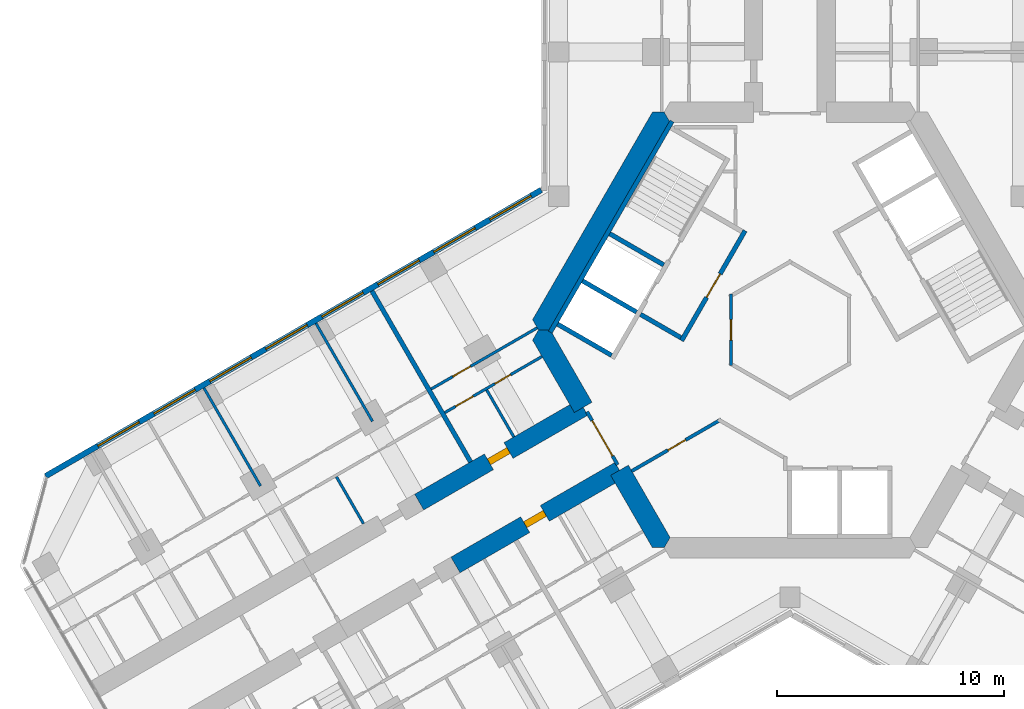
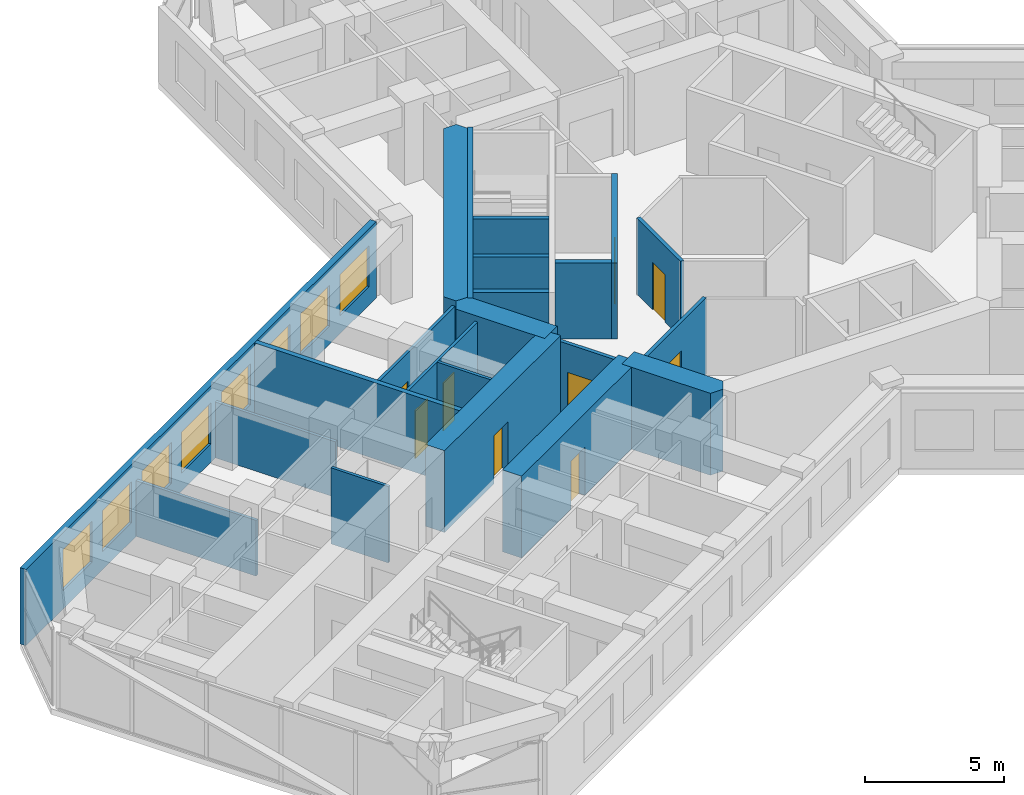
# One storey, part 12 of 19: 22 walls, 9 doors, 8 windows, 17 openings.
"""IFC4 building model written with IfcOpenShell, lengths in metres."""

from ifc_helpers import new_model, si_unit, direction, frame, frame_2d, origin, place, context, subcontext, project, spatial, polyline, rectangle, outline, extrude, material, layer, layer_set, type_object, element, fill, save


model = new_model("IFC4")

# Units and contexts
model_context = context("Model", 3, precision=1e-05, world=origin(), true_north=direction((0.0, 1.0)))
body_context = subcontext(model_context, "Body", "Model", "MODEL_VIEW")
ifc_project = project(units=[si_unit("LENGTHUNIT", "METRE"), si_unit("AREAUNIT", "SQUARE_METRE"), si_unit("VOLUMEUNIT", "CUBIC_METRE"), si_unit("PLANEANGLEUNIT", "RADIAN"), si_unit("MASSUNIT", "GRAM", prefix="KILO")], contexts=[model_context])

# Site, building, storey
site_placement = place(None, origin())
site = spatial("IfcSite", under=ifc_project, at=site_placement, CompositionType="ELEMENT")
building_placement = place(site_placement, origin())
building = spatial("IfcBuilding", under=site, at=building_placement, Name="Kosmar Iwan School Tower", CompositionType="ELEMENT")
storey_placement = place(building_placement, frame((0.0, 0.0, 134.60009765625)))
storey = spatial("IfcBuildingStorey", under=building, at=storey_placement, Name="L33", CompositionType="ELEMENT", Elevation=134.60009765625)

# Wall, opening, door
ifc_material_1 = material(Name="Gypsum board on steel studs, fire-rated", Category="steel")
ifc_layer_1 = layer(ifc_material_1, 0.14990234375)
ifc_layer_set_1 = layer_set([ifc_layer_1], Name="Core room partition 150")
wall_type_1 = type_object("IfcWallType", Name="Core room partition 150", PredefinedType="PARTITIONING", material=ifc_layer_set_1)
wall_1_placement = place(storey_placement, frame((-6.978515625, -6.222900390625, 0.0), z_axis=(0.0, 0.0, 1.0), x_axis=(0.866033797781, 0.49998546089, 0.0)))
wall_1 = element("IfcWall", 1, at=wall_1_placement, inside=storey, type_object=wall_type_1, Name="Core room partition L33-CW5", PredefinedType="PARTITIONING", context=body_context, shape_type="SweptSolid", body=[
    extrude(rectangle(XDim=4.553466796875, YDim=0.14990234375, at=frame_2d((2.27685546875, 0.0))), origin(), (0.0, 0.0, 1.0), 3.349853515625),
])
opening_1_placement = place(wall_1_placement, frame((1.846923828125, 0.0, 0.0)))
opening_1 = element("IfcOpeningElement", 2, at=opening_1_placement, cuts=wall_1, Name="Opening D14", PredefinedType="OPENING", context=body_context, shape_type="SweptSolid", body=[
    extrude(rectangle(XDim=0.89990234375, YDim=2.10009765625, at=frame_2d((0.449951171875, 1.050048828125))), frame((0.0, 0.0869140625, 0.0), z_axis=(0.0, -1.0, 0.0), x_axis=(1.0, 0.0, 0.0)), (0.0, 0.0, 1.0), 0.173828125),
])
ifc_material_2 = material(Name="Timber fire door in steel frame", Category="steel")
door_type_1 = type_object("IfcDoorType", Name="Core room door 900x2100", OperationType="SINGLE_SWING_LEFT", PredefinedType="DOOR", material=ifc_material_2)
door_1_placement = place(opening_1_placement, origin())
door_1 = element("IfcDoor", 3, at=door_1_placement, inside=storey, type_object=door_type_1, Name="Bicycle repair room door L33 3", OperationType="SINGLE_SWING_LEFT", OverallHeight=2.10009765625, OverallWidth=0.89990234375, PredefinedType="DOOR", context=body_context, shape_type="SweptSolid", body=[
    extrude(rectangle(XDim=0.89990234375, YDim=2.10009765625, at=frame_2d((0.449951171875, 1.050048828125))), frame((0.0, 0.02490234375, 0.0), z_axis=(0.0, -1.0, 0.0), x_axis=(1.0, 0.0, 0.0)), (0.0, 0.0, 1.0), 0.050048828125),
])
fill(opening_1, door_1)

wall_2_placement = place(storey_placement, frame((-2.60009765625, -1.576171875, 0.0), z_axis=(0.0, 0.0, 1.0), x_axis=(0.0, 1.0, 0.0)))
wall_2 = element("IfcWall", 4, at=wall_2_placement, inside=storey, type_object=wall_type_1, Name="Core room partition L33-CW10", PredefinedType="PARTITIONING", context=body_context, shape_type="SweptSolid", body=[
    extrude(rectangle(XDim=3.15234375, YDim=0.14990234375, at=frame_2d((1.576171875, 0.0))), origin(), (0.0, 0.0, 1.0), 3.349853515625),
])
opening_2_placement = place(wall_2_placement, frame((1.1259765625, 0.0, 0.0)))
opening_2 = element("IfcOpeningElement", 5, at=opening_2_placement, cuts=wall_2, Name="Opening D14", PredefinedType="OPENING", context=body_context, shape_type="SweptSolid", body=[
    extrude(rectangle(XDim=0.89990234375, YDim=2.10009765625, at=frame_2d((0.449951171875, 1.050048828125))), frame((0.0, 0.0869140625, 0.0), z_axis=(0.0, -1.0, 0.0), x_axis=(1.0, 0.0, 0.0)), (0.0, 0.0, 1.0), 0.173828125),
])
door_2_placement = place(opening_2_placement, origin())
door_2 = element("IfcDoor", 6, at=door_2_placement, inside=storey, type_object=door_type_1, Name="Bulky waste store door L33 4", OperationType="SINGLE_SWING_RIGHT", OverallHeight=2.10009765625, OverallWidth=0.89990234375, PredefinedType="DOOR", context=body_context, shape_type="SweptSolid", body=[
    extrude(rectangle(XDim=0.89990234375, YDim=2.10009765625, at=frame_2d((0.449951171875, 1.050048828125))), frame((0.0, 0.02490234375, 0.0), z_axis=(0.0, -1.0, 0.0), x_axis=(1.0, 0.0, 0.0)), (0.0, 0.0, 1.0), 0.050048828125),
])
fill(opening_2, door_2)

# Walls
ifc_material_3 = material(Name="Concrete C50/60", Category="concrete")
ifc_layer_2 = layer(ifc_material_3, 0.89990234375)
ifc_layer_set_2 = layer_set([ifc_layer_2], Name="Core wall 900")
wall_type_2 = type_object("IfcWallType", Name="Core wall 900", PredefinedType="SHEAR", material=ifc_layer_set_2)
wall_3_placement = place(storey_placement, origin())
element("IfcWall", 7, at=wall_3_placement, inside=storey, type_object=wall_type_2, Name="Core wall F150", PredefinedType="SHEAR", context=body_context, shape_type="SweptSolid", body=[
    extrude(outline(polyline([(-11.085205078125, 0.0), (-10.5654296875, 0.0), (-5.28271484375, 9.14990234375), (-5.54248046875, 9.60009765625), (-6.062255859375, 9.60009765625), (-11.344970703125, 0.449951171875), (-11.085205078125, 0.0)])), origin(), (0.0, 0.0, 1.0), 3.599853515625),
])
wall_4_placement = place(storey_placement, origin())
element("IfcWall", 8, at=wall_4_placement, inside=storey, type_object=wall_type_2, Name="Core wall F210a", PredefinedType="SHEAR", context=body_context, shape_type="SweptSolid", body=[
    extrude(outline(polyline([(-9.503662109375, -3.639404296875), (-8.72412109375, -3.189453125), (-10.5654296875, 0.0), (-11.085205078125, 0.0), (-11.344970703125, -0.449951171875), (-9.503662109375, -3.639404296875)])), origin(), (0.0, 0.0, 1.0), 3.599853515625),
])
wall_5_placement = place(storey_placement, origin())
element("IfcWall", 9, at=wall_5_placement, inside=storey, type_object=wall_type_2, Name="Core wall F210b", PredefinedType="SHEAR", context=body_context, shape_type="SweptSolid", body=[
    extrude(outline(polyline([(-6.062255859375, -9.60009765625), (-5.54248046875, -9.60009765625), (-5.28271484375, -9.14990234375), (-7.1240234375, -5.960693359375), (-7.903564453125, -6.41064453125), (-6.062255859375, -9.60009765625)])), origin(), (0.0, 0.0, 1.0), 3.599853515625),
])

# Wall, opening, door
ifc_material_4 = material(Name="Concrete C50/60", Category="concrete")
ifc_layer_3 = layer(ifc_material_4, 0.800048828125)
ifc_layer_set_3 = layer_set([ifc_layer_3], Name="Corridor buttress wall 800")
wall_type_3 = type_object("IfcWallType", Name="Corridor buttress wall 800", PredefinedType="SHEAR", material=ifc_layer_set_3)
wall_6_placement = place(storey_placement, frame((-7.513916015625, -6.185546875, 0.0), z_axis=(0.0, 0.0, 1.0), x_axis=(-0.866019549707, -0.500010139422, 0.0)))
wall_6 = element("IfcWall", 10, at=wall_6_placement, inside=storey, type_object=wall_type_3, Name="Corridor wall BL", PredefinedType="SHEAR", context=body_context, shape_type="SweptSolid", body=[
    extrude(rectangle(XDim=8.349853515625, YDim=0.800048828125, at=frame_2d((4.1748046875, 0.0))), origin(), (0.0, 0.0, 1.0), 3.599853515625),
])
opening_3_placement = place(wall_6_placement, frame((3.800048828125, 0.0, 0.0)))
opening_3 = element("IfcOpeningElement", 11, at=opening_3_placement, cuts=wall_6, Name="Opening D1", PredefinedType="OPENING", context=body_context, shape_type="SweptSolid", body=[
    extrude(rectangle(XDim=1.0, YDim=2.10009765625, at=frame_2d((0.5, 1.050048828125))), frame((0.0, 0.412109375, 0.0), z_axis=(0.0, -1.0, 0.0), x_axis=(1.0, 0.0, 0.0)), (0.0, 0.0, 1.0), 0.823974609375),
])
ifc_material_5 = material(Name="Timber fire door in steel frame", Category="steel")
door_type_2 = type_object("IfcDoorType", Name="Flat entrance door 1000x2100", OperationType="SINGLE_SWING_LEFT", PredefinedType="DOOR", material=ifc_material_5)
door_3_placement = place(opening_3_placement, origin())
door_3 = element("IfcDoor", 12, at=door_3_placement, inside=storey, type_object=door_type_2, Name="Flat L33-BL1 entrance door", OperationType="SINGLE_SWING_LEFT", OverallHeight=2.10009765625, OverallWidth=1.0, PredefinedType="DOOR", context=body_context, shape_type="SweptSolid", body=[
    extrude(rectangle(XDim=1.0, YDim=2.10009765625, at=frame_2d((0.5, 1.050048828125))), frame((0.0, 0.14990234375, 0.0), z_axis=(0.0, -1.0, 0.0), x_axis=(1.0, 0.0, 0.0)), (0.0, 0.0, 1.0), 0.300048828125),
])
fill(opening_3, door_3)

wall_7_placement = place(storey_placement, frame((-9.11376953125, -3.414306640625, 0.0), z_axis=(0.0, 0.0, 1.0), x_axis=(-0.866026859388, -0.499997478812, 0.0)))
wall_7 = element("IfcWall", 13, at=wall_7_placement, inside=storey, type_object=wall_type_3, Name="Corridor wall BR", PredefinedType="SHEAR", context=body_context, shape_type="SweptSolid", body=[
    extrude(rectangle(XDim=8.35009765625, YDim=0.800048828125, at=frame_2d((4.175048828125, 0.0))), origin(), (0.0, 0.0, 1.0), 3.599853515625),
])
opening_4_placement = place(wall_7_placement, frame((3.800048828125, 0.0, 0.0)))
opening_4 = element("IfcOpeningElement", 14, at=opening_4_placement, cuts=wall_7, Name="Opening D1", PredefinedType="OPENING", context=body_context, shape_type="SweptSolid", body=[
    extrude(rectangle(XDim=1.0, YDim=2.10009765625, at=frame_2d((0.5, 1.050048828125))), frame((0.0, 0.412109375, 0.0), z_axis=(0.0, -1.0, 0.0), x_axis=(1.0, 0.0, 0.0)), (0.0, 0.0, 1.0), 0.823974609375),
])
door_4_placement = place(opening_4_placement, origin())
door_4 = element("IfcDoor", 15, at=door_4_placement, inside=storey, type_object=door_type_2, Name="Flat L33-BR1 entrance door", OperationType="SINGLE_SWING_RIGHT", OverallHeight=2.10009765625, OverallWidth=1.0, PredefinedType="DOOR", context=body_context, shape_type="SweptSolid", body=[
    extrude(rectangle(XDim=1.0, YDim=2.10009765625, at=frame_2d((0.5, 1.050048828125))), frame((0.0, 0.14990234375, 0.0), z_axis=(0.0, -1.0, 0.0), x_axis=(1.0, 0.0, 0.0)), (0.0, 0.0, 1.0), 0.300048828125),
])
fill(opening_4, door_4)

ifc_material_6 = material(Name="Steel framed glazed screen", Category="steel")
ifc_layer_4 = layer(ifc_material_6, 0.14990234375)
ifc_layer_set_4 = layer_set([ifc_layer_4], Name="Corridor screen wall 150")
wall_type_4 = type_object("IfcWallType", Name="Corridor screen wall 150", PredefinedType="PARTITIONING", material=ifc_layer_set_4)
wall_8_placement = place(storey_placement, frame((-8.945556640625, -3.60595703125, 0.0), z_axis=(0.0, 0.0, 1.0), x_axis=(0.500048589285, -0.86599734893, 0.0)))
wall_8 = element("IfcWall", 16, at=wall_8_placement, inside=storey, type_object=wall_type_4, Name="Corridor screen B L33", PredefinedType="PARTITIONING", context=body_context, shape_type="SweptSolid", body=[
    extrude(rectangle(XDim=2.699951171875, YDim=0.14990234375, at=frame_2d((1.35009765625, 0.0))), origin(), (0.0, 0.0, 1.0), 3.349853515625),
])
opening_5_placement = place(wall_8_placement, frame((0.449951171875, 0.0, 0.0)))
opening_5 = element("IfcOpeningElement", 17, at=opening_5_placement, cuts=wall_8, Name="Opening D9", PredefinedType="OPENING", context=body_context, shape_type="SweptSolid", body=[
    extrude(rectangle(XDim=1.800048828125, YDim=2.10009765625, at=frame_2d((0.89990234375, 1.050048828125))), frame((0.0, 0.0869140625, 0.0), z_axis=(0.0, -1.0, 0.0), x_axis=(1.0, 0.0, 0.0)), (0.0, 0.0, 1.0), 0.173828125),
])
ifc_material_7 = material(Name="Steel framed glazed smoke door", Category="steel")
door_type_3 = type_object("IfcDoorType", Name="Corridor smoke door pair 1800x2100", OperationType="DOUBLE_DOOR_DOUBLE_SWING", PredefinedType="DOOR", material=ifc_material_7)
door_5_placement = place(opening_5_placement, origin())
door_5 = element("IfcDoor", 18, at=door_5_placement, inside=storey, type_object=door_type_3, Name="Corridor doors B L33", OperationType="DOUBLE_DOOR_DOUBLE_SWING", OverallHeight=2.10009765625, OverallWidth=1.800048828125, PredefinedType="DOOR", context=body_context, shape_type="SweptSolid", body=[
    extrude(rectangle(XDim=1.800048828125, YDim=2.10009765625, at=frame_2d((0.89990234375, 1.050048828125))), frame((0.0, 0.02490234375, 0.0), z_axis=(0.0, -1.0, 0.0), x_axis=(1.0, 0.0, 0.0)), (0.0, 0.0, 1.0), 0.050048828125),
])
fill(opening_5, door_5)

# Wall, openings, doors
ifc_material_8 = material(Name="Gypsum board on steel studs", Category="steel")
ifc_layer_5 = layer(ifc_material_8, 0.1201171875)
ifc_layer_set_5 = layer_set([ifc_layer_5], Name="Dwelling partition 120")
wall_type_5 = type_object("IfcWallType", Name="Dwelling partition 120", PredefinedType="PARTITIONING", material=ifc_layer_set_5)
wall_9_placement = place(storey_placement, frame((-10.928466796875, -1.171142578125, 0.0), z_axis=(0.0, 0.0, 1.0), x_axis=(-0.866018855338, -0.500011342071, 0.0)))
wall_9 = element("IfcWall", 19, at=wall_9_placement, inside=storey, type_object=wall_type_5, Name="Partition L33-BR1-W1", PredefinedType="PARTITIONING", context=body_context, shape_type="SweptSolid", body=[
    extrude(rectangle(XDim=4.9501953125, YDim=0.1201171875, at=frame_2d((2.47509765625, 0.0))), origin(), (0.0, 0.0, 1.0), 3.349853515625),
])
opening_6_placement = place(wall_9_placement, frame((1.60009765625, 0.0, 0.0)))
opening_6 = element("IfcOpeningElement", 20, at=opening_6_placement, cuts=wall_9, Name="Opening D3", PredefinedType="OPENING", context=body_context, shape_type="SweptSolid", body=[
    extrude(rectangle(XDim=0.800048828125, YDim=2.10009765625, at=frame_2d((0.39990234375, 1.050048828125))), frame((0.0, 0.072021484375, 0.0), z_axis=(0.0, -1.0, 0.0), x_axis=(1.0, 0.0, 0.0)), (0.0, 0.0, 1.0), 0.14404296875),
])
opening_7_placement = place(wall_9_placement, frame((3.5, 0.0, 0.0)))
opening_7 = element("IfcOpeningElement", 21, at=opening_7_placement, cuts=wall_9, Name="Opening D2", PredefinedType="OPENING", context=body_context, shape_type="SweptSolid", body=[
    extrude(rectangle(XDim=0.89990234375, YDim=2.10009765625, at=frame_2d((0.449951171875, 1.050048828125))), frame((0.0, 0.072021484375, 0.0), z_axis=(0.0, -1.0, 0.0), x_axis=(1.0, 0.0, 0.0)), (0.0, 0.0, 1.0), 0.14404296875),
])
ifc_material_9 = material(Name="Timber door in timber frame", Category="wood")
door_type_4 = type_object("IfcDoorType", Name="Internal door 900x2100", OperationType="SINGLE_SWING_LEFT", PredefinedType="DOOR", material=ifc_material_9)
door_6_placement = place(opening_7_placement, origin())
door_6 = element("IfcDoor", 22, at=door_6_placement, inside=storey, type_object=door_type_4, Name="Entrance hall door L33-BR1-S2", OperationType="SINGLE_SWING_RIGHT", OverallHeight=2.10009765625, OverallWidth=0.89990234375, PredefinedType="DOOR", context=body_context, shape_type="SweptSolid", body=[
    extrude(rectangle(XDim=0.89990234375, YDim=2.10009765625, at=frame_2d((0.449951171875, 1.050048828125))), frame((0.0, 0.02490234375, 0.0), z_axis=(0.0, -1.0, 0.0), x_axis=(1.0, 0.0, 0.0)), (0.0, 0.0, 1.0), 0.050048828125),
])
fill(opening_7, door_6)
ifc_material_10 = material(Name="Timber door in timber frame", Category="wood")
door_type_5 = type_object("IfcDoorType", Name="Sanitary room door 800x2100", OperationType="SINGLE_SWING_LEFT", PredefinedType="DOOR", material=ifc_material_10)
door_7_placement = place(opening_6_placement, origin())
door_7 = element("IfcDoor", 23, at=door_7_placement, inside=storey, type_object=door_type_5, Name="Bathroom door L33-BR1-S1", OperationType="SINGLE_SWING_RIGHT", OverallHeight=2.10009765625, OverallWidth=0.800048828125, PredefinedType="DOOR", context=body_context, shape_type="SweptSolid", body=[
    extrude(rectangle(XDim=0.800048828125, YDim=2.10009765625, at=frame_2d((0.39990234375, 1.050048828125))), frame((0.0, 0.02490234375, 0.0), z_axis=(0.0, -1.0, 0.0), x_axis=(1.0, 0.0, 0.0)), (0.0, 0.0, 1.0), 0.050048828125),
])
fill(opening_6, door_7)

# Wall, opening, door
wall_10_placement = place(storey_placement, frame((-11.138916015625, 0.093017578125, 0.0), z_axis=(0.0, 0.0, 1.0), x_axis=(-0.866028230842, -0.499995103361, 0.0)))
wall_10 = element("IfcWall", 24, at=wall_10_placement, inside=storey, type_object=wall_type_5, Name="Partition L33-BR1-W2", PredefinedType="PARTITIONING", context=body_context, shape_type="SweptSolid", body=[
    extrude(rectangle(XDim=5.39990234375, YDim=0.1201171875, at=frame_2d((2.699951171875, 0.0))), origin(), (0.0, 0.0, 1.0), 3.349853515625),
])
opening_8_placement = place(wall_10_placement, frame((3.39990234375, 0.0, 0.0)))
opening_8 = element("IfcOpeningElement", 25, at=opening_8_placement, cuts=wall_10, Name="Opening D2", PredefinedType="OPENING", context=body_context, shape_type="SweptSolid", body=[
    extrude(rectangle(XDim=0.89990234375, YDim=2.10009765625, at=frame_2d((0.449951171875, 1.050048828125))), frame((0.0, 0.072021484375, 0.0), z_axis=(0.0, -1.0, 0.0), x_axis=(1.0, 0.0, 0.0)), (0.0, 0.0, 1.0), 0.14404296875),
])
door_8_placement = place(opening_8_placement, origin())
door_8 = element("IfcDoor", 26, at=door_8_placement, inside=storey, type_object=door_type_4, Name="Studio living room and kitchen door L33-BR1-F1", OperationType="SINGLE_SWING_RIGHT", OverallHeight=2.10009765625, OverallWidth=0.89990234375, PredefinedType="DOOR", context=body_context, shape_type="SweptSolid", body=[
    extrude(rectangle(XDim=0.89990234375, YDim=2.10009765625, at=frame_2d((0.449951171875, 1.050048828125))), frame((0.0, 0.02490234375, 0.0), z_axis=(0.0, -1.0, 0.0), x_axis=(1.0, 0.0, 0.0)), (0.0, 0.0, 1.0), 0.050048828125),
])
fill(opening_8, door_8)

# Walls
wall_11_placement = place(storey_placement, frame((-12.171630859375, -4.718017578125, 0.0), z_axis=(0.0, 0.0, 1.0), x_axis=(-0.500017192868, 0.86601547725, 0.0)))
element("IfcWall", 27, at=wall_11_placement, inside=storey, type_object=wall_type_5, Name="Partition L33-BR1-Y1", PredefinedType="PARTITIONING", context=body_context, shape_type="SweptSolid", body=[
    extrude(rectangle(XDim=2.39013671875, YDim=0.1201171875, at=frame_2d((1.195068359375, 0.0))), origin(), (0.0, 0.0, 1.0), 3.349853515625),
])
wall_12_placement = place(storey_placement, frame((-18.400146484375, -4.030029296875, 0.0), z_axis=(0.0, 0.0, 1.0), x_axis=(-0.500011847778, 0.866018563358, 0.0)))
element("IfcWall", 28, at=wall_12_placement, inside=storey, type_object=wall_type_5, Name="Partition L33-BR2-X1", PredefinedType="PARTITIONING", context=body_context, shape_type="SweptSolid", body=[
    extrude(rectangle(XDim=4.990234375, YDim=0.1201171875, at=frame_2d((2.4951171875, 0.0))), origin(), (0.0, 0.0, 1.0), 2.449951171875),
])
wall_13_placement = place(storey_placement, frame((-23.33642578125, -6.8798828125, 0.0), z_axis=(0.0, 0.0, 1.0), x_axis=(-0.500033033937, 0.866006330792, 0.0)))
element("IfcWall", 29, at=wall_13_placement, inside=storey, type_object=wall_type_5, Name="Partition L33-BR2-X2", PredefinedType="PARTITIONING", context=body_context, shape_type="SweptSolid", body=[
    extrude(rectangle(XDim=4.989990234375, YDim=0.1201171875, at=frame_2d((2.4951171875, 0.0))), origin(), (0.0, 0.0, 1.0), 2.449951171875),
])
wall_14_placement = place(storey_placement, frame((-18.796875, -8.54296875, 0.0), z_axis=(0.0, 0.0, 1.0), x_axis=(-0.500017192868, 0.86601547725, 0.0)))
element("IfcWall", 30, at=wall_14_placement, inside=storey, type_object=wall_type_5, Name="Partition L33-BR2-Y1", PredefinedType="PARTITIONING", context=body_context, shape_type="SweptSolid", body=[
    extrude(rectangle(XDim=2.39013671875, YDim=0.1201171875, at=frame_2d((1.195068359375, 0.0))), origin(), (0.0, 0.0, 1.0), 3.349853515625),
])

# Wall, openings, windows
ifc_material_11 = material(Name="Black aluminium rainscreen on insulated framing", Category="aluminium")
ifc_layer_6 = layer(ifc_material_11, 0.25)
ifc_layer_set_6 = layer_set([ifc_layer_6], Name="External wall rainscreen 250")
wall_type_6 = type_object("IfcWallType", Name="External wall rainscreen 250", PredefinedType="SOLIDWALL", material=ifc_layer_set_6)
wall_15_placement = place(storey_placement, frame((-10.962890625, 6.170166015625, 0.0), z_axis=(0.0, 0.0, 1.0), x_axis=(-0.86602796634, -0.499995561497, 0.0)))
wall_15 = element("IfcWall", 31, at=wall_15_placement, inside=storey, type_object=wall_type_6, Name="External wall BR L33", PredefinedType="SOLIDWALL", context=body_context, shape_type="SweptSolid", body=[
    extrude(rectangle(XDim=25.226318359375, YDim=0.25, at=frame_2d((12.61328125, 0.0))), origin(), (0.0, 0.0, 1.0), 3.349853515625),
])
opening_9_placement = place(wall_15_placement, frame((0.51611328125, 0.0, 0.800048828125)))
opening_9 = element("IfcOpeningElement", 32, at=opening_9_placement, cuts=wall_15, Name="Opening W4", PredefinedType="OPENING", context=body_context, shape_type="SweptSolid", body=[
    extrude(rectangle(XDim=2.10009765625, YDim=1.800048828125, at=frame_2d((1.050048828125, 0.89990234375))), frame((0.0, 0.136962890625, 0.0), z_axis=(0.0, -1.0, 0.0), x_axis=(1.0, 0.0, 0.0)), (0.0, 0.0, 1.0), 0.27392578125),
])
opening_10_placement = place(wall_15_placement, frame((3.365966796875, 0.0, 0.800048828125)))
opening_10 = element("IfcOpeningElement", 33, at=opening_10_placement, cuts=wall_15, Name="Opening W4", PredefinedType="OPENING", context=body_context, shape_type="SweptSolid", body=[
    extrude(rectangle(XDim=2.10009765625, YDim=1.800048828125, at=frame_2d((1.050048828125, 0.89990234375))), frame((0.0, 0.136962890625, 0.0), z_axis=(0.0, -1.0, 0.0), x_axis=(1.0, 0.0, 0.0)), (0.0, 0.0, 1.0), 0.27392578125),
])
opening_11_placement = place(wall_15_placement, frame((6.216064453125, 0.0, 0.800048828125)))
opening_11 = element("IfcOpeningElement", 34, at=opening_11_placement, cuts=wall_15, Name="Opening W4", PredefinedType="OPENING", context=body_context, shape_type="SweptSolid", body=[
    extrude(rectangle(XDim=2.10009765625, YDim=1.800048828125, at=frame_2d((1.050048828125, 0.89990234375))), frame((0.0, 0.136962890625, 0.0), z_axis=(0.0, -1.0, 0.0), x_axis=(1.0, 0.0, 0.0)), (0.0, 0.0, 1.0), 0.27392578125),
])
opening_12_placement = place(wall_15_placement, frame((9.06591796875, 0.0, 0.800048828125)))
opening_12 = element("IfcOpeningElement", 35, at=opening_12_placement, cuts=wall_15, Name="Opening W4", PredefinedType="OPENING", context=body_context, shape_type="SweptSolid", body=[
    extrude(rectangle(XDim=2.10009765625, YDim=1.800048828125, at=frame_2d((1.050048828125, 0.89990234375))), frame((0.0, 0.136962890625, 0.0), z_axis=(0.0, -1.0, 0.0), x_axis=(1.0, 0.0, 0.0)), (0.0, 0.0, 1.0), 0.27392578125),
])
opening_13_placement = place(wall_15_placement, frame((11.916015625, 0.0, 0.800048828125)))
opening_13 = element("IfcOpeningElement", 36, at=opening_13_placement, cuts=wall_15, Name="Opening W4", PredefinedType="OPENING", context=body_context, shape_type="SweptSolid", body=[
    extrude(rectangle(XDim=2.10009765625, YDim=1.800048828125, at=frame_2d((1.050048828125, 0.89990234375))), frame((0.0, 0.136962890625, 0.0), z_axis=(0.0, -1.0, 0.0), x_axis=(1.0, 0.0, 0.0)), (0.0, 0.0, 1.0), 0.27392578125),
])
opening_14_placement = place(wall_15_placement, frame((14.76611328125, 0.0, 0.800048828125)))
opening_14 = element("IfcOpeningElement", 37, at=opening_14_placement, cuts=wall_15, Name="Opening W4", PredefinedType="OPENING", context=body_context, shape_type="SweptSolid", body=[
    extrude(rectangle(XDim=2.10009765625, YDim=1.800048828125, at=frame_2d((1.050048828125, 0.89990234375))), frame((0.0, 0.136962890625, 0.0), z_axis=(0.0, -1.0, 0.0), x_axis=(1.0, 0.0, 0.0)), (0.0, 0.0, 1.0), 0.27392578125),
])
opening_15_placement = place(wall_15_placement, frame((17.615966796875, 0.0, 0.800048828125)))
opening_15 = element("IfcOpeningElement", 38, at=opening_15_placement, cuts=wall_15, Name="Opening W4", PredefinedType="OPENING", context=body_context, shape_type="SweptSolid", body=[
    extrude(rectangle(XDim=2.10009765625, YDim=1.800048828125, at=frame_2d((1.050048828125, 0.89990234375))), frame((0.0, 0.136962890625, 0.0), z_axis=(0.0, -1.0, 0.0), x_axis=(1.0, 0.0, 0.0)), (0.0, 0.0, 1.0), 0.27392578125),
])
opening_16_placement = place(wall_15_placement, frame((20.466064453125, 0.0, 0.800048828125)))
opening_16 = element("IfcOpeningElement", 39, at=opening_16_placement, cuts=wall_15, Name="Opening W4", PredefinedType="OPENING", context=body_context, shape_type="SweptSolid", body=[
    extrude(rectangle(XDim=2.10009765625, YDim=1.800048828125, at=frame_2d((1.050048828125, 0.89990234375))), frame((0.0, 0.136962890625, 0.0), z_axis=(0.0, -1.0, 0.0), x_axis=(1.0, 0.0, 0.0)), (0.0, 0.0, 1.0), 0.27392578125),
])
ifc_material_12 = material(Name="Black aluminium frame with dark triple glazing", Category="aluminium")
window_type = type_object("IfcWindowType", Name="Window 2100x1800", PartitioningType="SINGLE_PANEL", PredefinedType="WINDOW", material=ifc_material_12)
window_1_placement = place(opening_9_placement, origin())
window_1 = element("IfcWindow", 40, at=window_1_placement, inside=storey, type_object=window_type, Name="Window BR L33 -1", OverallHeight=1.800048828125, OverallWidth=2.10009765625, PartitioningType="SINGLE_PANEL", PredefinedType="WINDOW", context=body_context, shape_type="SweptSolid", body=[
    extrude(rectangle(XDim=2.10009765625, YDim=1.800048828125, at=frame_2d((1.050048828125, 0.89990234375))), frame((0.0, 0.030029296875, 0.0), z_axis=(0.0, -1.0, 0.0), x_axis=(1.0, 0.0, 0.0)), (0.0, 0.0, 1.0), 0.06005859375),
])
fill(opening_9, window_1)
window_2_placement = place(opening_10_placement, origin())
window_2 = element("IfcWindow", 41, at=window_2_placement, inside=storey, type_object=window_type, Name="Window BR L33 0", OverallHeight=1.800048828125, OverallWidth=2.10009765625, PartitioningType="SINGLE_PANEL", PredefinedType="WINDOW", context=body_context, shape_type="SweptSolid", body=[
    extrude(rectangle(XDim=2.10009765625, YDim=1.800048828125, at=frame_2d((1.050048828125, 0.89990234375))), frame((0.0, 0.030029296875, 0.0), z_axis=(0.0, -1.0, 0.0), x_axis=(1.0, 0.0, 0.0)), (0.0, 0.0, 1.0), 0.06005859375),
])
fill(opening_10, window_2)
window_3_placement = place(opening_11_placement, origin())
window_3 = element("IfcWindow", 42, at=window_3_placement, inside=storey, type_object=window_type, Name="Window BR L33 1", OverallHeight=1.800048828125, OverallWidth=2.10009765625, PartitioningType="SINGLE_PANEL", PredefinedType="WINDOW", context=body_context, shape_type="SweptSolid", body=[
    extrude(rectangle(XDim=2.10009765625, YDim=1.800048828125, at=frame_2d((1.050048828125, 0.89990234375))), frame((0.0, 0.030029296875, 0.0), z_axis=(0.0, -1.0, 0.0), x_axis=(1.0, 0.0, 0.0)), (0.0, 0.0, 1.0), 0.06005859375),
])
fill(opening_11, window_3)
window_4_placement = place(opening_12_placement, origin())
window_4 = element("IfcWindow", 43, at=window_4_placement, inside=storey, type_object=window_type, Name="Window BR L33 2", OverallHeight=1.800048828125, OverallWidth=2.10009765625, PartitioningType="SINGLE_PANEL", PredefinedType="WINDOW", context=body_context, shape_type="SweptSolid", body=[
    extrude(rectangle(XDim=2.10009765625, YDim=1.800048828125, at=frame_2d((1.050048828125, 0.89990234375))), frame((0.0, 0.030029296875, 0.0), z_axis=(0.0, -1.0, 0.0), x_axis=(1.0, 0.0, 0.0)), (0.0, 0.0, 1.0), 0.06005859375),
])
fill(opening_12, window_4)
window_5_placement = place(opening_13_placement, origin())
window_5 = element("IfcWindow", 44, at=window_5_placement, inside=storey, type_object=window_type, Name="Window BR L33 3", OverallHeight=1.800048828125, OverallWidth=2.10009765625, PartitioningType="SINGLE_PANEL", PredefinedType="WINDOW", context=body_context, shape_type="SweptSolid", body=[
    extrude(rectangle(XDim=2.10009765625, YDim=1.800048828125, at=frame_2d((1.050048828125, 0.89990234375))), frame((0.0, 0.030029296875, 0.0), z_axis=(0.0, -1.0, 0.0), x_axis=(1.0, 0.0, 0.0)), (0.0, 0.0, 1.0), 0.06005859375),
])
fill(opening_13, window_5)
window_6_placement = place(opening_14_placement, origin())
window_6 = element("IfcWindow", 45, at=window_6_placement, inside=storey, type_object=window_type, Name="Window BR L33 4", OverallHeight=1.800048828125, OverallWidth=2.10009765625, PartitioningType="SINGLE_PANEL", PredefinedType="WINDOW", context=body_context, shape_type="SweptSolid", body=[
    extrude(rectangle(XDim=2.10009765625, YDim=1.800048828125, at=frame_2d((1.050048828125, 0.89990234375))), frame((0.0, 0.030029296875, 0.0), z_axis=(0.0, -1.0, 0.0), x_axis=(1.0, 0.0, 0.0)), (0.0, 0.0, 1.0), 0.06005859375),
])
fill(opening_14, window_6)
window_7_placement = place(opening_15_placement, origin())
window_7 = element("IfcWindow", 46, at=window_7_placement, inside=storey, type_object=window_type, Name="Window BR L33 5", OverallHeight=1.800048828125, OverallWidth=2.10009765625, PartitioningType="SINGLE_PANEL", PredefinedType="WINDOW", context=body_context, shape_type="SweptSolid", body=[
    extrude(rectangle(XDim=2.10009765625, YDim=1.800048828125, at=frame_2d((1.050048828125, 0.89990234375))), frame((0.0, 0.030029296875, 0.0), z_axis=(0.0, -1.0, 0.0), x_axis=(1.0, 0.0, 0.0)), (0.0, 0.0, 1.0), 0.06005859375),
])
fill(opening_15, window_7)
window_8_placement = place(opening_16_placement, origin())
window_8 = element("IfcWindow", 47, at=window_8_placement, inside=storey, type_object=window_type, Name="Window BR L33 6", OverallHeight=1.800048828125, OverallWidth=2.10009765625, PartitioningType="SINGLE_PANEL", PredefinedType="WINDOW", context=body_context, shape_type="SweptSolid", body=[
    extrude(rectangle(XDim=2.10009765625, YDim=1.800048828125, at=frame_2d((1.050048828125, 0.89990234375))), frame((0.0, 0.030029296875, 0.0), z_axis=(0.0, -1.0, 0.0), x_axis=(1.0, 0.0, 0.0)), (0.0, 0.0, 1.0), 0.06005859375),
])
fill(opening_16, window_8)

# Wall, opening, door
ifc_material_13 = material(Name="Concrete block masonry", Category="masonry")
ifc_layer_7 = layer(ifc_material_13, 0.199951171875)
ifc_layer_set_7 = layer_set([ifc_layer_7], Name="Fire lobby wall 200")
wall_type_7 = type_object("IfcWallType", Name="Fire lobby wall 200", PredefinedType="PARTITIONING", material=ifc_layer_set_7)
wall_16_placement = place(storey_placement, frame((-1.9775390625, 4.374755859375, 0.0), z_axis=(0.0, 0.0, 1.0), x_axis=(-0.500016814911, -0.866015695474, 0.0)))
wall_16 = element("IfcWall", 48, at=wall_16_placement, inside=storey, type_object=wall_type_7, Name="Firefighting lobby wall ST2", PredefinedType="PARTITIONING", context=body_context, shape_type="SweptSolid", body=[
    extrude(rectangle(XDim=5.599853515625, YDim=0.199951171875, at=frame_2d((2.7998046875, 0.0))), origin(), (0.0, 0.0, 1.0), 3.349853515625),
])
opening_17_placement = place(wall_16_placement, frame((2.199951171875, 0.0, 0.0)))
opening_17 = element("IfcOpeningElement", 49, at=opening_17_placement, cuts=wall_16, Name="Opening D7", PredefinedType="OPENING", context=body_context, shape_type="SweptSolid", body=[
    extrude(rectangle(XDim=1.199951171875, YDim=2.10009765625, at=frame_2d((0.60009765625, 1.050048828125))), frame((0.0, 0.112060546875, 0.0), z_axis=(0.0, -1.0, 0.0), x_axis=(1.0, 0.0, 0.0)), (0.0, 0.0, 1.0), 0.223876953125),
])
ifc_material_14 = material(Name="Steel fire door", Category="steel")
door_type_6 = type_object("IfcDoorType", Name="Fire lobby door 1200x2100", OperationType="SINGLE_SWING_LEFT", PredefinedType="DOOR", material=ifc_material_14)
door_9_placement = place(opening_17_placement, frame((1.199951171875, 0.0, 0.0), z_axis=(0.0, 0.0, 1.0), x_axis=(-1.0, 0.0, 0.0)))
door_9 = element("IfcDoor", 50, at=door_9_placement, inside=storey, type_object=door_type_6, Name="Firefighting lobby door ST2 L33", OperationType="SINGLE_SWING_RIGHT", OverallHeight=2.10009765625, OverallWidth=1.199951171875, PredefinedType="DOOR", context=body_context, shape_type="SweptSolid", body=[
    extrude(rectangle(XDim=1.199951171875, YDim=2.10009765625, at=frame_2d((0.60009765625, 1.050048828125))), frame((0.0, 0.02490234375, 0.0), z_axis=(0.0, -1.0, 0.0), x_axis=(1.0, 0.0, 0.0)), (0.0, 0.0, 1.0), 0.050048828125),
])
fill(opening_17, door_9)

# Walls
wall_17_placement = place(storey_placement, frame((-4.814208984375, -0.33837890625, 0.0), z_axis=(0.0, 0.0, 1.0), x_axis=(-0.865969381856, 0.500097020274, 0.0)))
element("IfcWall", 51, at=wall_17_placement, inside=storey, type_object=wall_type_7, Name="Firefighting lobby wall ST2", PredefinedType="PARTITIONING", context=body_context, shape_type="SweptSolid", body=[
    extrude(rectangle(XDim=2.0498046875, YDim=0.199951171875, at=frame_2d((1.02490234375, 0.0))), origin(), (0.0, 0.0, 1.0), 3.349853515625),
])
ifc_material_15 = material(Name="Concrete C50/60", Category="concrete")
ifc_layer_8 = layer(ifc_material_15, 0.199951171875)
ifc_layer_set_8 = layer_set([ifc_layer_8], Name="Lift shaft wall 200")
wall_type_8 = type_object("IfcWallType", Name="Lift shaft wall 200", PredefinedType="SHEAR", material=ifc_layer_set_8)
wall_18_placement = place(storey_placement, frame((-5.196044921875, 9.199951171875, 0.0), z_axis=(0.0, 0.0, 1.0), x_axis=(-0.499999935134, -0.866025441235, 0.0)))
element("IfcWall", 52, at=wall_18_placement, inside=storey, type_object=wall_type_8, Name="Lift and stair back wall AB", PredefinedType="SHEAR", context=body_context, shape_type="SweptSolid", body=[
    extrude(rectangle(XDim=10.73876953125, YDim=0.199951171875, at=frame_2d((5.369384765625, 0.0))), origin(), (0.0, 0.0, 1.0), 3.599853515625),
])
for number, where, z_axis, x_axis, name in (
    (53, (-6.7626953125, 0.78662109375, 0.0), (0.0, 0.0, 1.0), (-0.866027397988, 0.499996545922, 0.0), "Lift shaft wall AB 1"),
    (54, (-7.862548828125, -1.118408203125, 0.0), (0.0, 0.0, 1.0), (-0.866027397988, 0.499996545922, 0.0), "Lift shaft wall AB 2"),
):
    element("IfcWall", number, at=place(storey_placement, frame(where, z_axis=z_axis, x_axis=x_axis)), inside=storey, type_object=wall_type_8, Name=name, PredefinedType="SHEAR", context=body_context, shape_type="SweptSolid", body=[
        extrude(rectangle(XDim=2.75, YDim=0.199951171875, at=frame_2d((1.375, 0.0))), origin(), (0.0, 0.0, 1.0), 3.599853515625),
    ])
ifc_material_16 = material(Name="Concrete block masonry", Category="masonry")
ifc_layer_9 = layer(ifc_material_16, 0.199951171875)
ifc_layer_set_9 = layer_set([ifc_layer_9], Name="Party wall 200")
wall_type_9 = type_object("IfcWallType", Name="Party wall 200", PredefinedType="PARTITIONING", material=ifc_layer_set_9)
wall_19_placement = place(storey_placement, frame((-14.076904296875, -5.81787109375, 0.0), z_axis=(0.0, 0.0, 1.0), x_axis=(-0.500008278454, 0.866020624164, 0.0)))
element("IfcWall", 55, at=wall_19_placement, inside=storey, type_object=wall_type_9, Name="Partition L33-BR2-PW", PredefinedType="PARTITIONING", context=body_context, shape_type="SweptSolid", body=[
    extrude(rectangle(XDim=8.699951171875, YDim=0.199951171875, at=frame_2d((4.35009765625, 0.0))), origin(), (0.0, 0.0, 1.0), 3.349853515625),
])
ifc_material_17 = material(Name="Concrete C50/60", Category="concrete")
ifc_layer_10 = layer(ifc_material_17, 0.199951171875)
ifc_layer_set_10 = layer_set([ifc_layer_10], Name="Stair enclosure wall 200")
wall_type_10 = type_object("IfcWallType", Name="Stair enclosure wall 200", PredefinedType="SHEAR", material=ifc_layer_set_10)
wall_20_placement = place(storey_placement, frame((-5.562744140625, 2.865234375, 0.0), z_axis=(0.0, 0.0, 1.0), x_axis=(-0.866027397988, 0.499996545922, 0.0)))
element("IfcWall", 56, at=wall_20_placement, inside=storey, type_object=wall_type_10, Name="Stair ST2 wall", PredefinedType="SHEAR", context=body_context, shape_type="SweptSolid", body=[
    extrude(rectangle(XDim=2.75, YDim=0.199951171875, at=frame_2d((1.375, 0.0))), origin(), (0.0, 0.0, 1.0), 3.599853515625),
])

save(model, "model.ifc")
